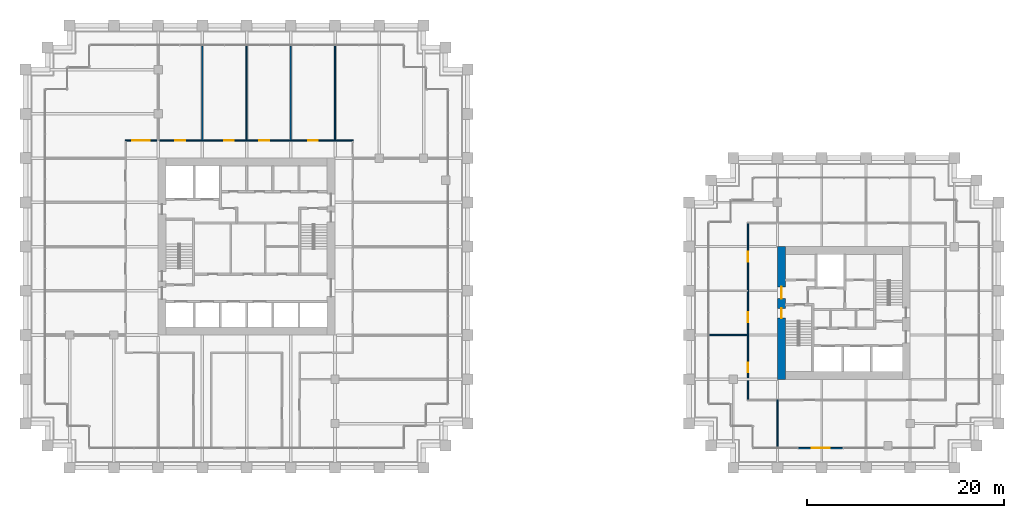
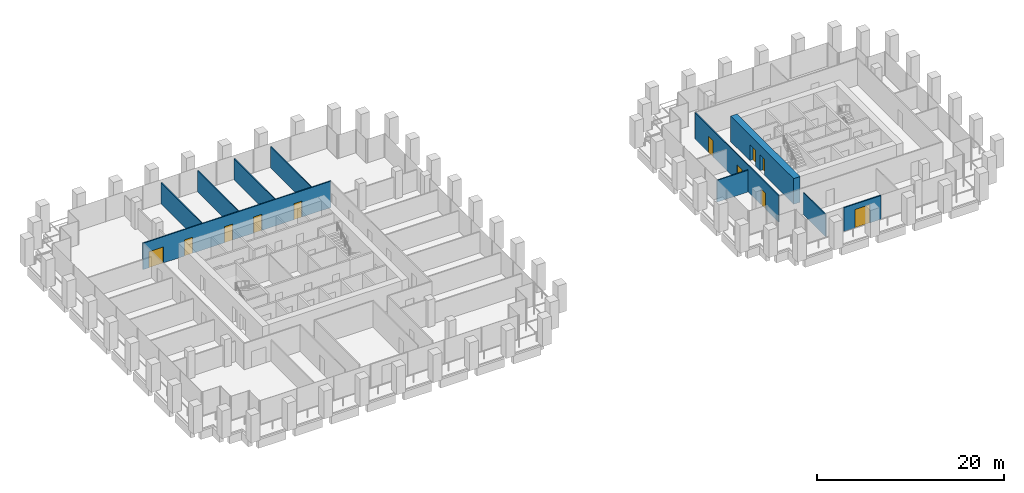
# One storey, part 52 of 56: 11 doors, 10 walls, 11 openings.
"""IFC4 building model written with IfcOpenShell, lengths in metres."""

from ifc_helpers import new_model, si_unit, direction, frame, frame_2d, origin, place, context, subcontext, project, spatial, rectangle, extrude, material, layer, layer_set, type_object, element, fill, save


model = new_model("IFC4")

# Units and contexts
model_context = context("Model", 3, precision=1e-05, world=origin(), true_north=direction((0.0, 1.0)))
body_context = subcontext(model_context, "Body", "Model", "MODEL_VIEW")
ifc_project = project(units=[si_unit("LENGTHUNIT", "METRE"), si_unit("AREAUNIT", "SQUARE_METRE"), si_unit("VOLUMEUNIT", "CUBIC_METRE"), si_unit("PLANEANGLEUNIT", "RADIAN"), si_unit("MASSUNIT", "GRAM", prefix="KILO")], contexts=[model_context])

# Site, building, storey
site_placement = place(None, origin())
site = spatial("IfcSite", under=ifc_project, at=site_placement, CompositionType="ELEMENT")
building_placement = place(site_placement, origin())
building = spatial("IfcBuilding", under=site, at=building_placement, Name="Altepetl Exchange Towers", CompositionType="ELEMENT")
storey_placement = place(building_placement, frame((0.0, 0.0, 69.0)))
storey = spatial("IfcBuildingStorey", under=building, at=storey_placement, Name="L16", CompositionType="ELEMENT", Elevation=69.0)

# Wall, openings, doors
ifc_material_1 = material(Name="Concrete C70/85", Category="concrete")
ifc_layer_1 = layer(ifc_material_1, 0.800048828125)
ifc_layer_set_1 = layer_set([ifc_layer_1], Name="Concrete C70/85")
wall_type_1 = type_object("IfcWallType", Name="Core wall 800 reinforced concrete", PredefinedType="SHEAR", material=ifc_layer_set_1)
wall_1_placement = place(storey_placement, frame((103.89990234375, 36.0, 0.0), z_axis=(0.0, 0.0, 1.0), x_axis=(0.0, 1.0, 0.0)))
wall_1 = element("IfcWall", 1, at=wall_1_placement, inside=storey, type_object=wall_type_1, Name="wall:B:L16:K-coreW", PredefinedType="SHEAR", context=body_context, shape_type="SweptSolid", body=[
    extrude(rectangle(XDim=13.5, YDim=0.800048828125, at=frame_2d((6.75, 0.0))), origin(), (0.0, 0.0, 1.0), 3.35009765625),
])
opening_1_placement = place(wall_1_placement, frame((8.199951171875, 0.0, 0.0)))
opening_1 = element("IfcOpeningElement", 2, at=opening_1_placement, cuts=wall_1, Name="Opening L16.B60", PredefinedType="OPENING", context=body_context, shape_type="SweptSolid", body=[
    extrude(rectangle(XDim=1.199951171875, YDim=2.10009765625, at=frame_2d((0.60009765625, 1.050048828125))), frame((0.0, 0.41015625, 0.0), z_axis=(0.0, -1.0, 0.0), x_axis=(1.0, 0.0, 0.0)), (0.0, 0.0, 1.0), 0.820068359375),
])
opening_2_placement = place(wall_1_placement, frame((6.22509765625, 0.0, 0.0)))
opening_2 = element("IfcOpeningElement", 3, at=opening_2_placement, cuts=wall_1, Name="Opening L16.B63", PredefinedType="OPENING", context=body_context, shape_type="SweptSolid", body=[
    extrude(rectangle(XDim=1.0, YDim=2.10009765625, at=frame_2d((0.5, 1.050048828125))), frame((0.0, 0.41015625, 0.0), z_axis=(0.0, -1.0, 0.0), x_axis=(1.0, 0.0, 0.0)), (0.0, 0.0, 1.0), 0.820068359375),
])
ifc_material_2 = material(Name="Steel and timber fire door", Category="steel")
door_type_1 = type_object("IfcDoorType", Name="Fire door 1000 x 2100 stair and lobby", OperationType="SINGLE_SWING_LEFT", PredefinedType="DOOR", material=ifc_material_2)
door_1_placement = place(opening_2_placement, frame((1.0, 0.0, 0.0), x_axis=(-1.0, 0.0, 0.0)))
door_1 = element("IfcDoor", 4, at=door_1_placement, inside=storey, type_object=door_type_1, Name="door:B:L16:K-dS1x", OperationType="SINGLE_SWING_RIGHT", OverallHeight=2.10009765625, OverallWidth=1.0, PredefinedType="DOOR", context=body_context, shape_type="SweptSolid", body=[
    extrude(rectangle(XDim=1.0, YDim=2.10009765625, at=frame_2d((0.5, 1.050048828125))), frame((0.0, 0.02490234375, 0.0), z_axis=(0.0, -1.0, 0.0), x_axis=(1.0, 0.0, 0.0)), (0.0, 0.0, 1.0), 0.050048828125),
])
fill(opening_2, door_1)
door_type_2 = type_object("IfcDoorType", Name="Fire door 1200 x 2100 lobby entry", OperationType="SINGLE_SWING_LEFT", PredefinedType="DOOR", material=ifc_material_2)
door_2_placement = place(opening_1_placement, frame((1.199951171875, 0.0, 0.0), x_axis=(-1.0, 0.0, 0.0)))
door_2 = element("IfcDoor", 5, at=door_2_placement, inside=storey, type_object=door_type_2, Name="door:B:L16:K-dLNW", OperationType="SINGLE_SWING_RIGHT", OverallHeight=2.10009765625, OverallWidth=1.199951171875, PredefinedType="DOOR", context=body_context, shape_type="SweptSolid", body=[
    extrude(rectangle(XDim=1.199951171875, YDim=2.10009765625, at=frame_2d((0.60009765625, 1.050048828125))), frame((0.0, 0.02490234375, 0.0), z_axis=(0.0, -1.0, 0.0), x_axis=(1.0, 0.0, 0.0)), (0.0, 0.0, 1.0), 0.050048828125),
])
fill(opening_1, door_2)

# Wall, opening, door
ifc_material_3 = material(Name="Aluminium composite cladding", Category="aluminium")
ifc_layer_2 = layer(ifc_material_3, 0.14990234375)
ifc_layer_set_2 = layer_set([ifc_layer_2], Name="Aluminium composite cladding")
wall_type_2 = type_object("IfcWallType", Name="Infill wall 150 aluminium panel", PredefinedType="SOLIDWALL", material=ifc_layer_set_2)
wall_2_placement = place(storey_placement, frame((105.606201171875, 29.0, 0.0)))
wall_2 = element("IfcWall", 6, at=wall_2_placement, inside=storey, type_object=wall_type_2, Name="Loggia door bay wall", PredefinedType="SOLIDWALL", context=body_context, shape_type="SweptSolid", body=[
    extrude(rectangle(XDim=4.606201171875, YDim=0.14990234375, at=frame_2d((2.30322265625, 0.0))), origin(), (0.0, 0.0, 1.0), 3.10009765625),
])
opening_3_placement = place(wall_2_placement, frame((1.403076171875, 0.0, 0.0)))
opening_3 = element("IfcOpeningElement", 7, at=opening_3_placement, cuts=wall_2, Name="Opening L16.B90", PredefinedType="OPENING", context=body_context, shape_type="SweptSolid", body=[
    extrude(rectangle(XDim=1.800048828125, YDim=2.39990234375, at=frame_2d((0.89990234375, 1.199951171875))), frame((0.0, 0.0849609375, 0.0), z_axis=(0.0, -1.0, 0.0), x_axis=(1.0, 0.0, 0.0)), (0.0, 0.0, 1.0), 0.169921875),
])
ifc_material_4 = material(Name="Aluminium 6063-T6 and glass", Category="aluminium")
door_type_3 = type_object("IfcDoorType", Name="Glazed door pair 1800x2400", OperationType="DOUBLE_DOOR_DOUBLE_SWING", PredefinedType="NOTDEFINED", material=ifc_material_4)
door_3_placement = place(opening_3_placement, frame((1.800048828125, 0.0, 0.0), x_axis=(-1.0, 0.0, 0.0)))
door_3 = element("IfcDoor", 8, at=door_3_placement, inside=storey, type_object=door_type_3, Name="Loggia door", OperationType="DOUBLE_DOOR_DOUBLE_SWING", OverallHeight=2.39990234375, OverallWidth=1.800048828125, PredefinedType="NOTDEFINED", context=body_context, shape_type="SweptSolid", body=[
    extrude(rectangle(XDim=1.800048828125, YDim=2.39990234375, at=frame_2d((0.89990234375, 1.199951171875))), frame((0.0, 0.02490234375, 0.0), z_axis=(0.0, -1.0, 0.0), x_axis=(1.0, 0.0, 0.0)), (0.0, 0.0, 1.0), 0.050048828125),
])
fill(opening_3, door_3)

# Walls
ifc_material_5 = material(Name="Timber panels on aluminium track", Category="wood")
ifc_layer_3 = layer(ifc_material_5, 0.125)
ifc_layer_set_3 = layer_set([ifc_layer_3], Name="Timber panels on aluminium track")
wall_type_3 = type_object("IfcWallType", Name="Operable acoustic partition 125", PredefinedType="MOVABLE", material=ifc_layer_set_3)
for number, where, z_axis, x_axis, name in (
    (9, (45.0, 60.300048828125, 0.0), (0.0, 0.0, 1.0), (0.0, 1.0, 0.0), "wall:A:L16:P27"),
    (10, (49.5, 60.300048828125, 0.0), (0.0, 0.0, 1.0), (0.0, 1.0, 0.0), "wall:A:L16:P29"),
    (11, (54.0, 60.300048828125, 0.0), (0.0, 0.0, 1.0), (0.0, 1.0, 0.0), "wall:A:L16:P31"),
):
    element("IfcWall", number, at=place(storey_placement, frame(where, z_axis=z_axis, x_axis=x_axis)), inside=storey, type_object=wall_type_3, Name=name, PredefinedType="MOVABLE", context=body_context, shape_type="SweptSolid", body=[
        extrude(rectangle(XDim=9.599853515625, YDim=0.125, at=frame_2d((4.7998046875, 0.0))), origin(), (0.0, 0.0, 1.0), 2.76611328125),
    ])
wall_3_placement = place(storey_placement, frame((103.5, 29.10009765625, 0.0), z_axis=(0.0, 0.0, 1.0), x_axis=(0.0, 1.0, 0.0)))
element("IfcWall", 12, at=wall_3_placement, inside=storey, type_object=wall_type_3, Name="wall:B:L16:P08", PredefinedType="MOVABLE", context=body_context, shape_type="SweptSolid", body=[
    extrude(rectangle(XDim=4.7998046875, YDim=0.125, at=frame_2d((2.39990234375, 0.0))), origin(), (0.0, 0.0, 1.0), 2.85107421875),
])

# Wall, openings, doors
ifc_material_6 = material(Name="Gypsum board on steel studs", Category="steel")
ifc_layer_4 = layer(ifc_material_6, 0.125)
ifc_layer_set_4 = layer_set([ifc_layer_4], Name="Gypsum board on steel studs")
wall_type_4 = type_object("IfcWallType", Name="Partition 125 gypsum board on steel studs", PredefinedType="PARTITIONING", material=ifc_layer_set_4)
wall_4_placement = place(storey_placement, frame((37.137451171875, 60.300048828125, 0.0)))
wall_4 = element("IfcWall", 13, at=wall_4_placement, inside=storey, type_object=wall_type_4, Name="wall:A:L16:P20", PredefinedType="PARTITIONING", context=body_context, shape_type="SweptSolid", body=[
    extrude(rectangle(XDim=23.22509765625, YDim=0.125, at=frame_2d((11.612548828125, 0.0))), origin(), (0.0, 0.0, 1.0), 3.449951171875),
])
opening_4_placement = place(wall_4_placement, frame((18.612548828125, 0.0, 0.0)))
opening_4 = element("IfcOpeningElement", 14, at=opening_4_placement, cuts=wall_4, Name="Opening L16.A13", PredefinedType="OPENING", context=body_context, shape_type="SweptSolid", body=[
    extrude(rectangle(XDim=1.0, YDim=2.10009765625, at=frame_2d((0.5, 1.050048828125))), frame((0.0, 0.072509765625, 0.0), z_axis=(0.0, -1.0, 0.0), x_axis=(1.0, 0.0, 0.0)), (0.0, 0.0, 1.0), 0.14501953125),
])
opening_5_placement = place(wall_4_placement, frame((13.657470703125, 0.0, 0.0)))
opening_5 = element("IfcOpeningElement", 15, at=opening_5_placement, cuts=wall_4, Name="Opening L16.A14", PredefinedType="OPENING", context=body_context, shape_type="SweptSolid", body=[
    extrude(rectangle(XDim=1.0, YDim=2.10009765625, at=frame_2d((0.5, 1.050048828125))), frame((0.0, 0.072509765625, 0.0), z_axis=(0.0, -1.0, 0.0), x_axis=(1.0, 0.0, 0.0)), (0.0, 0.0, 1.0), 0.14501953125),
])
opening_6_placement = place(wall_4_placement, frame((10.0673828125, 0.0, 0.0)))
opening_6 = element("IfcOpeningElement", 16, at=opening_6_placement, cuts=wall_4, Name="Opening L16.A15", PredefinedType="OPENING", context=body_context, shape_type="SweptSolid", body=[
    extrude(rectangle(XDim=1.0, YDim=2.10009765625, at=frame_2d((0.5, 1.050048828125))), frame((0.0, 0.072509765625, 0.0), z_axis=(0.0, -1.0, 0.0), x_axis=(1.0, 0.0, 0.0)), (0.0, 0.0, 1.0), 0.14501953125),
])
opening_7_placement = place(wall_4_placement, frame((5.112548828125, 0.0, 0.0)))
opening_7 = element("IfcOpeningElement", 17, at=opening_7_placement, cuts=wall_4, Name="Opening L16.A16", PredefinedType="OPENING", context=body_context, shape_type="SweptSolid", body=[
    extrude(rectangle(XDim=1.0, YDim=2.10009765625, at=frame_2d((0.5, 1.050048828125))), frame((0.0, 0.072509765625, 0.0), z_axis=(0.0, -1.0, 0.0), x_axis=(1.0, 0.0, 0.0)), (0.0, 0.0, 1.0), 0.14501953125),
])
opening_8_placement = place(wall_4_placement, frame((0.70751953125, 0.0, 0.0)))
opening_8 = element("IfcOpeningElement", 18, at=opening_8_placement, cuts=wall_4, Name="Opening L16.A17", PredefinedType="OPENING", context=body_context, shape_type="SweptSolid", body=[
    extrude(rectangle(XDim=1.800048828125, YDim=2.10009765625, at=frame_2d((0.89990234375, 1.050048828125))), frame((0.0, 0.072509765625, 0.0), z_axis=(0.0, -1.0, 0.0), x_axis=(1.0, 0.0, 0.0)), (0.0, 0.0, 1.0), 0.14501953125),
])
door_type_4 = type_object("IfcDoorType", Name="Fire door 1000 x 2100 single leaf", OperationType="SINGLE_SWING_LEFT", PredefinedType="DOOR", material=ifc_material_2)
door_4_placement = place(opening_4_placement, origin())
door_4 = element("IfcDoor", 19, at=door_4_placement, inside=storey, type_object=door_type_4, Name="door:A:L16:13", OperationType="SINGLE_SWING_RIGHT", OverallHeight=2.10009765625, OverallWidth=1.0, PredefinedType="DOOR", context=body_context, shape_type="SweptSolid", body=[
    extrude(rectangle(XDim=1.0, YDim=2.10009765625, at=frame_2d((0.5, 1.050048828125))), frame((0.0, 0.02490234375, 0.0), z_axis=(0.0, -1.0, 0.0), x_axis=(1.0, 0.0, 0.0)), (0.0, 0.0, 1.0), 0.050048828125),
])
fill(opening_4, door_4)
door_5_placement = place(opening_5_placement, origin())
door_5 = element("IfcDoor", 20, at=door_5_placement, inside=storey, type_object=door_type_4, Name="door:A:L16:14", OperationType="SINGLE_SWING_LEFT", OverallHeight=2.10009765625, OverallWidth=1.0, PredefinedType="DOOR", context=body_context, shape_type="SweptSolid", body=[
    extrude(rectangle(XDim=1.0, YDim=2.10009765625, at=frame_2d((0.5, 1.050048828125))), frame((0.0, 0.02490234375, 0.0), z_axis=(0.0, -1.0, 0.0), x_axis=(1.0, 0.0, 0.0)), (0.0, 0.0, 1.0), 0.050048828125),
])
fill(opening_5, door_5)
door_6_placement = place(opening_6_placement, origin())
door_6 = element("IfcDoor", 21, at=door_6_placement, inside=storey, type_object=door_type_4, Name="door:A:L16:15", OperationType="SINGLE_SWING_RIGHT", OverallHeight=2.10009765625, OverallWidth=1.0, PredefinedType="DOOR", context=body_context, shape_type="SweptSolid", body=[
    extrude(rectangle(XDim=1.0, YDim=2.10009765625, at=frame_2d((0.5, 1.050048828125))), frame((0.0, 0.02490234375, 0.0), z_axis=(0.0, -1.0, 0.0), x_axis=(1.0, 0.0, 0.0)), (0.0, 0.0, 1.0), 0.050048828125),
])
fill(opening_6, door_6)
door_7_placement = place(opening_7_placement, origin())
door_7 = element("IfcDoor", 22, at=door_7_placement, inside=storey, type_object=door_type_4, Name="door:A:L16:16", OperationType="SINGLE_SWING_LEFT", OverallHeight=2.10009765625, OverallWidth=1.0, PredefinedType="DOOR", context=body_context, shape_type="SweptSolid", body=[
    extrude(rectangle(XDim=1.0, YDim=2.10009765625, at=frame_2d((0.5, 1.050048828125))), frame((0.0, 0.02490234375, 0.0), z_axis=(0.0, -1.0, 0.0), x_axis=(1.0, 0.0, 0.0)), (0.0, 0.0, 1.0), 0.050048828125),
])
fill(opening_7, door_7)
door_type_5 = type_object("IfcDoorType", Name="Fire door 1800 x 2100 double leaf", OperationType="DOUBLE_DOOR_SINGLE_SWING", PredefinedType="DOOR", material=ifc_material_2)
door_8_placement = place(opening_8_placement, origin())
door_8 = element("IfcDoor", 23, at=door_8_placement, inside=storey, type_object=door_type_5, Name="door:A:L16:17", OperationType="DOUBLE_DOOR_SINGLE_SWING", OverallHeight=2.10009765625, OverallWidth=1.800048828125, PredefinedType="DOOR", context=body_context, shape_type="SweptSolid", body=[
    extrude(rectangle(XDim=1.800048828125, YDim=2.10009765625, at=frame_2d((0.89990234375, 1.050048828125))), frame((0.0, 0.02490234375, 0.0), z_axis=(0.0, -1.0, 0.0), x_axis=(1.0, 0.0, 0.0)), (0.0, 0.0, 1.0), 0.050048828125),
])
fill(opening_8, door_8)

# Walls
wall_5_placement = place(storey_placement, frame((58.5, 60.300048828125, 0.0), z_axis=(0.0, 0.0, 1.0), x_axis=(0.0, 1.0, 0.0)))
element("IfcWall", 24, at=wall_5_placement, inside=storey, type_object=wall_type_4, Name="wall:A:L16:P33", PredefinedType="PARTITIONING", context=body_context, shape_type="SweptSolid", body=[
    extrude(rectangle(XDim=9.599853515625, YDim=0.125, at=frame_2d((4.7998046875, 0.0))), origin(), (0.0, 0.0, 1.0), 2.76611328125),
])
wall_6_placement = place(storey_placement, frame((96.60009765625, 40.5, 0.0)))
element("IfcWall", 25, at=wall_6_placement, inside=storey, type_object=wall_type_4, Name="wall:B:L16:P02", PredefinedType="PARTITIONING", context=body_context, shape_type="SweptSolid", body=[
    extrude(rectangle(XDim=3.89990234375, YDim=0.125, at=frame_2d((1.949951171875, 0.0))), origin(), (0.0, 0.0, 1.0), 2.85107421875),
])

# Wall, openings, doors
wall_7_placement = place(storey_placement, frame((100.5, 33.96240234375, 0.0), z_axis=(0.0, 0.0, 1.0), x_axis=(0.0, 1.0, 0.0)))
wall_7 = element("IfcWall", 26, at=wall_7_placement, inside=storey, type_object=wall_type_4, Name="wall:B:L16:P07", PredefinedType="PARTITIONING", context=body_context, shape_type="SweptSolid", body=[
    extrude(rectangle(XDim=17.875, YDim=0.125, at=frame_2d((8.9375, 0.0))), origin(), (0.0, 0.0, 1.0), 3.449951171875),
])
opening_9_placement = place(wall_7_placement, frame((2.737548828125, 0.0, 0.0)))
opening_9 = element("IfcOpeningElement", 27, at=opening_9_placement, cuts=wall_7, Name="Opening L16.B01", PredefinedType="OPENING", context=body_context, shape_type="SweptSolid", body=[
    extrude(rectangle(XDim=1.0, YDim=2.10009765625, at=frame_2d((0.5, 1.050048828125))), frame((0.0, 0.072509765625, 0.0), z_axis=(0.0, -1.0, 0.0), x_axis=(1.0, 0.0, 0.0)), (0.0, 0.0, 1.0), 0.14501953125),
])
opening_10_placement = place(wall_7_placement, frame((13.987548828125, 0.0, 0.0)))
opening_10 = element("IfcOpeningElement", 28, at=opening_10_placement, cuts=wall_7, Name="Opening L16.B07", PredefinedType="OPENING", context=body_context, shape_type="SweptSolid", body=[
    extrude(rectangle(XDim=1.0, YDim=2.10009765625, at=frame_2d((0.5, 1.050048828125))), frame((0.0, 0.072509765625, 0.0), z_axis=(0.0, -1.0, 0.0), x_axis=(1.0, 0.0, 0.0)), (0.0, 0.0, 1.0), 0.14501953125),
])
opening_11_placement = place(wall_7_placement, frame((7.83251953125, 0.0, 0.0)))
opening_11 = element("IfcOpeningElement", 29, at=opening_11_placement, cuts=wall_7, Name="Opening L16.B08", PredefinedType="OPENING", context=body_context, shape_type="SweptSolid", body=[
    extrude(rectangle(XDim=1.0, YDim=2.10009765625, at=frame_2d((0.5, 1.050048828125))), frame((0.0, 0.072509765625, 0.0), z_axis=(0.0, -1.0, 0.0), x_axis=(1.0, 0.0, 0.0)), (0.0, 0.0, 1.0), 0.14501953125),
])
door_9_placement = place(opening_9_placement, origin())
door_9 = element("IfcDoor", 30, at=door_9_placement, inside=storey, type_object=door_type_4, Name="door:B:L16:01", OperationType="SINGLE_SWING_RIGHT", OverallHeight=2.10009765625, OverallWidth=1.0, PredefinedType="DOOR", context=body_context, shape_type="SweptSolid", body=[
    extrude(rectangle(XDim=1.0, YDim=2.10009765625, at=frame_2d((0.5, 1.050048828125))), frame((0.0, 0.02490234375, 0.0), z_axis=(0.0, -1.0, 0.0), x_axis=(1.0, 0.0, 0.0)), (0.0, 0.0, 1.0), 0.050048828125),
])
fill(opening_9, door_9)
door_10_placement = place(opening_10_placement, origin())
door_10 = element("IfcDoor", 31, at=door_10_placement, inside=storey, type_object=door_type_4, Name="door:B:L16:07", OperationType="SINGLE_SWING_LEFT", OverallHeight=2.10009765625, OverallWidth=1.0, PredefinedType="DOOR", context=body_context, shape_type="SweptSolid", body=[
    extrude(rectangle(XDim=1.0, YDim=2.10009765625, at=frame_2d((0.5, 1.050048828125))), frame((0.0, 0.02490234375, 0.0), z_axis=(0.0, -1.0, 0.0), x_axis=(1.0, 0.0, 0.0)), (0.0, 0.0, 1.0), 0.050048828125),
])
fill(opening_10, door_10)
door_11_placement = place(opening_11_placement, origin())
door_11 = element("IfcDoor", 32, at=door_11_placement, inside=storey, type_object=door_type_4, Name="door:B:L16:08", OperationType="SINGLE_SWING_LEFT", OverallHeight=2.10009765625, OverallWidth=1.0, PredefinedType="DOOR", context=body_context, shape_type="SweptSolid", body=[
    extrude(rectangle(XDim=1.0, YDim=2.10009765625, at=frame_2d((0.5, 1.050048828125))), frame((0.0, 0.02490234375, 0.0), z_axis=(0.0, -1.0, 0.0), x_axis=(1.0, 0.0, 0.0)), (0.0, 0.0, 1.0), 0.050048828125),
])
fill(opening_11, door_11)

save(model, "model.ifc")
